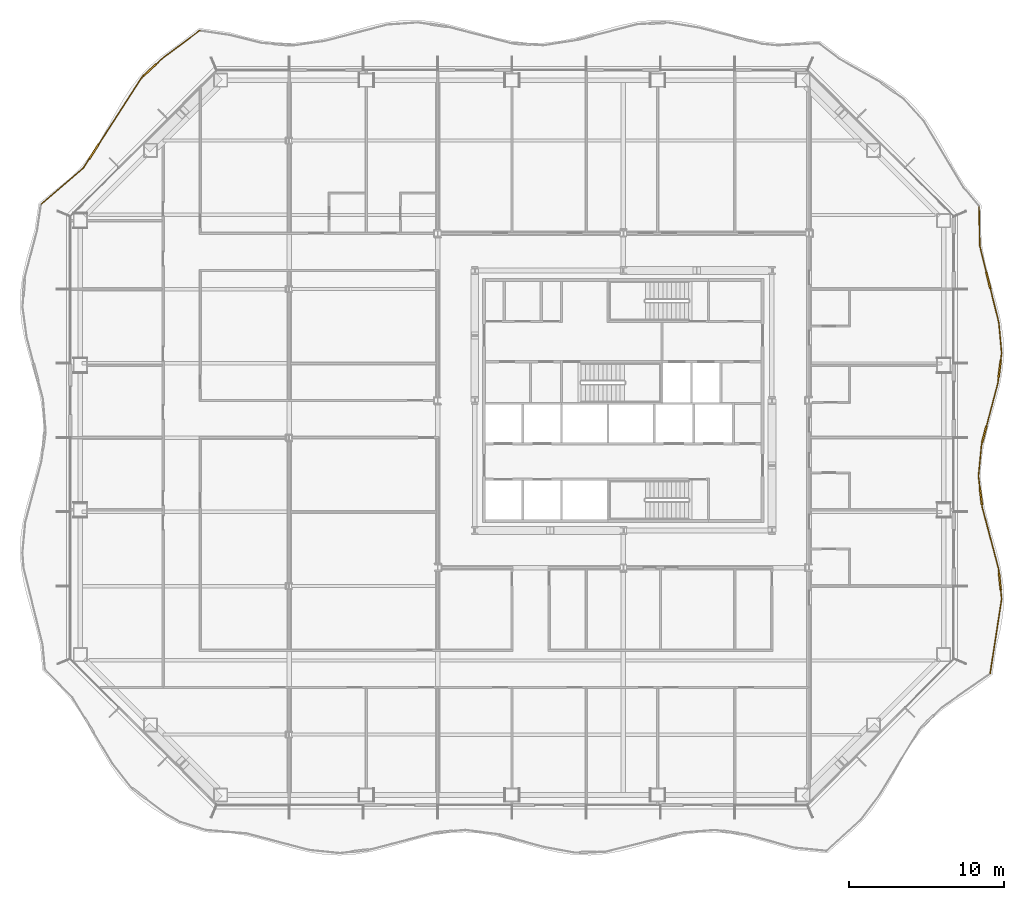
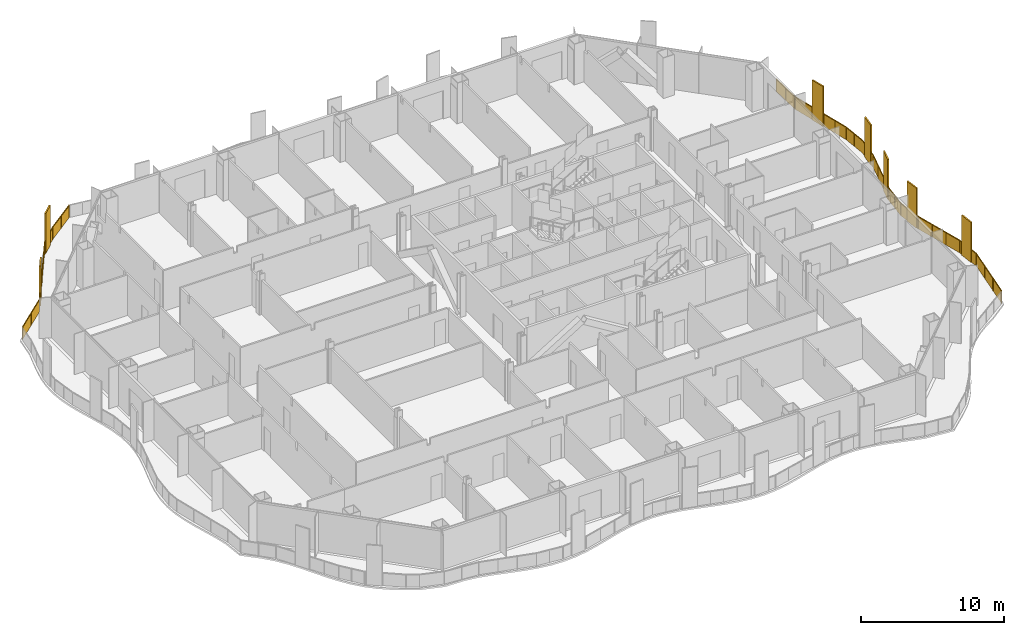
# One storey, part 16 of 18: 2 railings.
"""IFC4 building model written with IfcOpenShell, lengths in metres."""

from ifc_helpers import new_model, si_unit, direction, frame, origin, origin_2d, place, context, subcontext, project, spatial, polyline, rectangle, outline, extrude, material, type_object, element, save


model = new_model("IFC4")

# Units and contexts
model_context = context("Model", 3, precision=1e-05, world=origin(), true_north=direction((0.0, 1.0)))
body_context = subcontext(model_context, "Body", "Model", "MODEL_VIEW")
ifc_project = project(units=[si_unit("LENGTHUNIT", "METRE"), si_unit("AREAUNIT", "SQUARE_METRE"), si_unit("VOLUMEUNIT", "CUBIC_METRE"), si_unit("PLANEANGLEUNIT", "RADIAN"), si_unit("MASSUNIT", "GRAM", prefix="KILO")], contexts=[model_context])

# Site, building, storey
site_placement = place(None, origin())
site = spatial("IfcSite", under=ifc_project, at=site_placement, CompositionType="ELEMENT")
building_placement = place(site_placement, origin())
building = spatial("IfcBuilding", under=site, at=building_placement, Name="Cairn Pilgrim Tower", CompositionType="ELEMENT")
storey_placement = place(building_placement, frame((0.0, 0.0, 65.39990234375)))
storey = spatial("IfcBuildingStorey", under=building, at=storey_placement, Name="L14", CompositionType="ELEMENT", Elevation=65.39990234375)

# Railings
ifc_material = material(Name="Bronze anodised aluminium rail, posts and fin screens with laminated glass infill", Category="aluminium")
railing_type = type_object("IfcRailingType", Name="BALCONY GUARD WITH FIN SCREENS", PredefinedType="GUARDRAIL", material=ifc_material)
railing_1_placement = place(storey_placement, frame((30.904541015625, -15.242919921875, 0.0)))
element("IfcRailing", 1, at=railing_1_placement, inside=storey, type_object=railing_type, Name="Balcony guard BGF-2 with fin screens", PredefinedType="GUARDRAIL", context=body_context, shape_type="SweptSolid", body=[
    extrude(rectangle(XDim=0.050048828125, YDim=0.050048828125, at=origin_2d()), frame((0.0, 0.0, 1.0751953125), z_axis=(0.152606458821, 0.988287037619, 0.0), x_axis=(-0.988287037619, 0.152606458821, 0.0)), (0.0, 0.0, 1.0), 4.876220703125),
    extrude(rectangle(XDim=1.10009765625, YDim=0.110107421875, at=origin_2d()), frame((0.62646484375, 5.952392578125, 0.0), z_axis=(0.0, 0.0, 1.0), x_axis=(-0.103204222222, 0.994660187459, 0.0)), (0.0, 0.0, 1.0), 3.39990234375),
    extrude(rectangle(XDim=0.050048828125, YDim=0.050048828125, at=origin_2d()), frame((0.744140625, 4.819091796875, 1.0751953125), z_axis=(-0.103204222222, 0.994660187459, 0.0), x_axis=(-0.994660187459, -0.103204222222, 0.0)), (0.0, 0.0, 1.0), 0.58935546875),
    extrude(rectangle(XDim=0.050048828125, YDim=0.050048828125, at=origin_2d()), frame((0.56982421875, 6.499267578125, 1.0751953125), z_axis=(-0.103204222222, 0.994660187459, 0.0), x_axis=(-0.994660187459, -0.103204222222, 0.0)), (0.0, 0.0, 1.0), 0.276611328125),
    extrude(rectangle(XDim=0.050048828125, YDim=0.050048828125, at=origin_2d()), frame((0.541259765625, 6.7744140625, 1.0751953125), z_axis=(-0.256575177009, 0.966524277265, 0.0), x_axis=(-0.966524277265, -0.256575177009, 0.0)), (0.0, 0.0, 1.0), 4.108642578125),
    extrude(rectangle(XDim=1.10009765625, YDim=0.110107421875, at=origin_2d()), frame((-0.596435546875, 11.440673828125, 0.0), z_axis=(0.0, 0.0, 1.0), x_axis=(-0.11933515365, 0.992854028094, 0.0)), (0.0, 0.0, 1.0), 3.39990234375),
    extrude(rectangle(XDim=0.050048828125, YDim=0.050048828125, at=origin_2d()), frame((-0.512939453125, 10.74560546875, 1.0751953125), z_axis=(-0.11933515365, 0.992854028094, 0.0), x_axis=(-0.992854028094, -0.11933515365, 0.0)), (0.0, 0.0, 1.0), 0.150146484375),
    extrude(rectangle(XDim=0.050048828125, YDim=0.050048828125, at=origin_2d()), frame((-0.662109375, 11.98681640625, 1.0751953125), z_axis=(-0.11933515365, 0.992854028094, 0.0), x_axis=(-0.992854028094, -0.11933515365, 0.0)), (0.0, 0.0, 1.0), 0.77734375),
    extrude(rectangle(XDim=0.050048828125, YDim=0.050048828125, at=origin_2d()), frame((-0.7548828125, 12.758544921875, 1.0751953125), z_axis=(0.097569081749, 0.995228754753, 0.0), x_axis=(-0.995228754753, 0.097569081749, 0.0)), (0.0, 0.0, 1.0), 2.0244140625),
    extrude(rectangle(XDim=1.10009765625, YDim=0.110107421875, at=origin_2d()), frame((-0.3779296875, 15.44970703125, 0.0), z_axis=(0.0, 0.0, 1.0), x_axis=(0.256328281873, 0.966589784713, 0.0)), (0.0, 0.0, 1.0), 3.39990234375),
    extrude(rectangle(XDim=0.050048828125, YDim=0.050048828125, at=origin_2d()), frame((-0.557373046875, 14.773193359375, 1.0751953125), z_axis=(0.256328281873, 0.966589784713, 0.0), x_axis=(-0.966589784713, 0.256328281873, 0.0)), (0.0, 0.0, 1.0), 0.14990234375),
    extrude(rectangle(XDim=0.050048828125, YDim=0.050048828125, at=origin_2d()), frame((-0.237060546875, 15.981201171875, 1.0751953125), z_axis=(0.256328281873, 0.966589784713, 0.0), x_axis=(-0.966589784713, 0.256328281873, 0.0)), (0.0, 0.0, 1.0), 2.86181640625),
    extrude(rectangle(XDim=1.10009765625, YDim=0.110107421875, at=origin_2d()), frame((0.612548828125, 19.669677734375, 0.0), z_axis=(0.0, 0.0, 1.0), x_axis=(0.124825669723, 0.992178689641, 0.0)), (0.0, 0.0, 1.0), 3.39990234375),
    extrude(rectangle(XDim=0.050048828125, YDim=0.050048828125, at=origin_2d()), frame((0.49658203125, 18.74755859375, 1.0751953125), z_axis=(0.124825669723, 0.992178689641, 0.0), x_axis=(-0.992178689641, 0.124825669723, 0.0)), (0.0, 0.0, 1.0), 0.37939453125),
    extrude(rectangle(XDim=0.050048828125, YDim=0.050048828125, at=origin_2d()), frame((0.68115234375, 20.21533203125, 1.0751953125), z_axis=(0.124825669723, 0.992178689641, 0.0), x_axis=(-0.992178689641, 0.124825669723, 0.0)), (0.0, 0.0, 1.0), 0.49609375),
    extrude(rectangle(XDim=0.050048828125, YDim=0.050048828125, at=origin_2d()), frame((0.7431640625, 20.70751953125, 1.0751953125), z_axis=(-0.091733245189, 0.99578361692, 0.0), x_axis=(-0.99578361692, -0.091733245189, 0.0)), (0.0, 0.0, 1.0), 1.966796875),
    extrude(rectangle(XDim=1.10009765625, YDim=0.110107421875, at=origin_2d()), frame((-0.115478515625, 25.398681640625, 0.0), z_axis=(0.0, 0.0, 1.0), x_axis=(-0.24090899851, 0.970547708481, 0.0)), (0.0, 0.0, 1.0), 3.39990234375),
    extrude(rectangle(XDim=0.050048828125, YDim=0.050048828125, at=origin_2d()), frame((0.562744140625, 22.666015625, 1.0751953125), z_axis=(-0.24090899851, 0.970547708481, 0.0), x_axis=(-0.970547708481, -0.24090899851, 0.0)), (0.0, 0.0, 1.0), 2.265380859375),
    extrude(rectangle(XDim=0.050048828125, YDim=0.050048828125, at=origin_2d()), frame((-0.248046875, 25.932373046875, 1.0751953125), z_axis=(-0.24090899851, 0.970547708481, 0.0), x_axis=(-0.970547708481, -0.24090899851, 0.0)), (0.0, 0.0, 1.0), 1.75634765625),
    extrude(rectangle(XDim=0.050048828125, YDim=0.050048828125, at=origin_2d()), frame((-0.671142578125, 27.636962890625, 1.0751953125), z_axis=(-0.018459879552, 0.999829601906, 0.0), x_axis=(-0.999829601906, -0.018459879552, 0.0)), (0.0, 0.0, 1.0), 2.526123046875),
    extrude(rectangle(XDim=0.050048828125, YDim=0.050048828125, at=origin_2d()), origin(), (0.0, 0.0, 1.0), 1.050048828125),
    extrude(rectangle(XDim=0.050048828125, YDim=0.050048828125, at=origin_2d()), frame((0.248046875, 1.6064453125, 0.0)), (0.0, 0.0, 1.0), 1.050048828125),
    extrude(rectangle(XDim=0.050048828125, YDim=0.050048828125, at=origin_2d()), frame((0.49609375, 3.212646484375, 0.0)), (0.0, 0.0, 1.0), 1.050048828125),
    extrude(rectangle(XDim=0.050048828125, YDim=0.050048828125, at=origin_2d()), frame((0.744140625, 4.819091796875, 0.0)), (0.0, 0.0, 1.0), 1.050048828125),
    extrude(rectangle(XDim=0.050048828125, YDim=0.050048828125, at=origin_2d()), frame((0.685791015625, 5.38037109375, 0.0)), (0.0, 0.0, 1.0), 1.050048828125),
    extrude(rectangle(XDim=0.050048828125, YDim=0.050048828125, at=origin_2d()), frame((0.567138671875, 6.524169921875, 0.0)), (0.0, 0.0, 1.0), 1.050048828125),
    extrude(rectangle(XDim=0.050048828125, YDim=0.050048828125, at=origin_2d()), frame((0.541259765625, 6.7744140625, 0.0)), (0.0, 0.0, 1.0), 1.050048828125),
    extrude(rectangle(XDim=0.050048828125, YDim=0.050048828125, at=origin_2d()), frame((0.18994140625, 8.09814453125, 0.0)), (0.0, 0.0, 1.0), 1.050048828125),
    extrude(rectangle(XDim=0.050048828125, YDim=0.050048828125, at=origin_2d()), frame((-0.16162109375, 9.421875, 0.0)), (0.0, 0.0, 1.0), 1.050048828125),
    extrude(rectangle(XDim=0.050048828125, YDim=0.050048828125, at=origin_2d()), frame((-0.512939453125, 10.74560546875, 0.0)), (0.0, 0.0, 1.0), 1.050048828125),
    extrude(rectangle(XDim=0.050048828125, YDim=0.050048828125, at=origin_2d()), frame((-0.52783203125, 10.86962890625, 0.0)), (0.0, 0.0, 1.0), 1.050048828125),
    extrude(rectangle(XDim=0.050048828125, YDim=0.050048828125, at=origin_2d()), frame((-0.6650390625, 12.011474609375, 0.0)), (0.0, 0.0, 1.0), 1.050048828125),
    extrude(rectangle(XDim=0.050048828125, YDim=0.050048828125, at=origin_2d()), frame((-0.7548828125, 12.758544921875, 0.0)), (0.0, 0.0, 1.0), 1.050048828125),
    extrude(rectangle(XDim=0.050048828125, YDim=0.050048828125, at=origin_2d()), frame((-0.65625, 13.765869140625, 0.0)), (0.0, 0.0, 1.0), 1.050048828125),
    extrude(rectangle(XDim=0.050048828125, YDim=0.050048828125, at=origin_2d()), frame((-0.557373046875, 14.773193359375, 0.0)), (0.0, 0.0, 1.0), 1.050048828125),
    extrude(rectangle(XDim=0.050048828125, YDim=0.050048828125, at=origin_2d()), frame((-0.525390625, 14.893798828125, 0.0)), (0.0, 0.0, 1.0), 1.050048828125),
    extrude(rectangle(XDim=0.050048828125, YDim=0.050048828125, at=origin_2d()), frame((-0.230712890625, 16.00537109375, 0.0)), (0.0, 0.0, 1.0), 1.050048828125),
    extrude(rectangle(XDim=0.050048828125, YDim=0.050048828125, at=origin_2d()), frame((0.133056640625, 17.37646484375, 0.0)), (0.0, 0.0, 1.0), 1.050048828125),
    extrude(rectangle(XDim=0.050048828125, YDim=0.050048828125, at=origin_2d()), frame((0.49658203125, 18.74755859375, 0.0)), (0.0, 0.0, 1.0), 1.050048828125),
    extrude(rectangle(XDim=0.050048828125, YDim=0.050048828125, at=origin_2d()), frame((0.540771484375, 19.09912109375, 0.0)), (0.0, 0.0, 1.0), 1.050048828125),
    extrude(rectangle(XDim=0.050048828125, YDim=0.050048828125, at=origin_2d()), frame((0.684326171875, 20.240234375, 0.0)), (0.0, 0.0, 1.0), 1.050048828125),
    extrude(rectangle(XDim=0.050048828125, YDim=0.050048828125, at=origin_2d()), frame((0.7431640625, 20.70751953125, 0.0)), (0.0, 0.0, 1.0), 1.050048828125),
    extrude(rectangle(XDim=0.050048828125, YDim=0.050048828125, at=origin_2d()), frame((0.65283203125, 21.686767578125, 0.0)), (0.0, 0.0, 1.0), 1.050048828125),
    extrude(rectangle(XDim=0.050048828125, YDim=0.050048828125, at=origin_2d()), frame((0.562744140625, 22.666015625, 0.0)), (0.0, 0.0, 1.0), 1.050048828125),
    extrude(rectangle(XDim=0.050048828125, YDim=0.050048828125, at=origin_2d()), frame((0.29296875, 23.753173828125, 0.0)), (0.0, 0.0, 1.0), 1.050048828125),
    extrude(rectangle(XDim=0.050048828125, YDim=0.050048828125, at=origin_2d()), frame((0.02294921875, 24.840576171875, 0.0)), (0.0, 0.0, 1.0), 1.050048828125),
    extrude(rectangle(XDim=0.050048828125, YDim=0.050048828125, at=origin_2d()), frame((-0.254150390625, 25.95654296875, 0.0)), (0.0, 0.0, 1.0), 1.050048828125),
    extrude(rectangle(XDim=0.050048828125, YDim=0.050048828125, at=origin_2d()), frame((-0.671142578125, 27.636962890625, 0.0)), (0.0, 0.0, 1.0), 1.050048828125),
    extrude(rectangle(XDim=0.050048828125, YDim=0.050048828125, at=origin_2d()), frame((-0.6943359375, 28.89990234375, 0.0)), (0.0, 0.0, 1.0), 1.050048828125),
    extrude(rectangle(XDim=0.050048828125, YDim=0.050048828125, at=origin_2d()), frame((-0.7177734375, 30.16259765625, 0.0)), (0.0, 0.0, 1.0), 1.050048828125),
    extrude(outline(polyline([(0.02490234375, 0.0), (1.600341796875, 0.0), (1.600341796875, 1.050048828125), (0.02490234375, 1.050048828125), (0.02490234375, 0.0)])), frame((-0.005859375, 0.0009765625, 0.0), z_axis=(0.988287037619, -0.152606458821, 0.0), x_axis=(0.152606458821, 0.988287037619, 0.0)), (0.0, 0.0, 1.0), 0.011962890625),
    extrude(outline(polyline([(0.02490234375, 0.0), (1.600341796875, 0.0), (1.600341796875, 1.050048828125), (0.02490234375, 1.050048828125), (0.02490234375, 0.0)])), frame((0.2421875, 1.607177734375, 0.0), z_axis=(0.988287037619, -0.152606458821, 0.0), x_axis=(0.152606458821, 0.988287037619, 0.0)), (0.0, 0.0, 1.0), 0.011962890625),
    extrude(outline(polyline([(0.02490234375, 0.0), (1.600341796875, 0.0), (1.600341796875, 1.050048828125), (0.02490234375, 1.050048828125), (0.02490234375, 0.0)])), frame((0.490234375, 3.213623046875, 0.0), z_axis=(0.988287037619, -0.152606458821, 0.0), x_axis=(0.152606458821, 0.988287037619, 0.0)), (0.0, 0.0, 1.0), 0.011962890625),
    extrude(outline(polyline([(0.02490234375, 0.0), (0.539306640625, 0.0), (0.539306640625, 1.050048828125), (0.02490234375, 1.050048828125), (0.02490234375, 0.0)])), frame((0.73828125, 4.818359375, 0.0), z_axis=(0.994660187459, 0.103204222222, 0.0), x_axis=(-0.103204222222, 0.994660187459, 0.0)), (0.0, 0.0, 1.0), 0.011962890625),
    extrude(outline(polyline([(0.02490234375, 0.0), (0.2265625, 0.0), (0.2265625, 1.050048828125), (0.02490234375, 1.050048828125), (0.02490234375, 0.0)])), frame((0.561279296875, 6.523681640625, 0.0), z_axis=(0.994660187459, 0.103204222222, 0.0), x_axis=(-0.103204222222, 0.994660187459, 0.0)), (0.0, 0.0, 1.0), 0.011962890625),
    extrude(outline(polyline([(0.02490234375, 0.0), (1.344482421875, 0.0), (1.344482421875, 1.050048828125), (0.02490234375, 1.050048828125), (0.02490234375, 0.0)])), frame((0.535400390625, 6.77294921875, 0.0), z_axis=(0.966524277265, 0.256575177009, 0.0), x_axis=(-0.256575177009, 0.966524277265, 0.0)), (0.0, 0.0, 1.0), 0.011962890625),
    extrude(outline(polyline([(0.02490234375, 0.0), (1.344482421875, 0.0), (1.344482421875, 1.050048828125), (0.02490234375, 1.050048828125), (0.02490234375, 0.0)])), frame((0.18408203125, 8.0966796875, 0.0), z_axis=(0.966524277265, 0.256575177009, 0.0), x_axis=(-0.256575177009, 0.966524277265, 0.0)), (0.0, 0.0, 1.0), 0.011962890625),
    extrude(outline(polyline([(0.02490234375, 0.0), (1.344482421875, 0.0), (1.344482421875, 1.050048828125), (0.02490234375, 1.050048828125), (0.02490234375, 0.0)])), frame((-0.167236328125, 9.42041015625, 0.0), z_axis=(0.966524277265, 0.256575177009, 0.0), x_axis=(-0.256575177009, 0.966524277265, 0.0)), (0.0, 0.0, 1.0), 0.011962890625),
    extrude(outline(polyline([(0.02490234375, 0.0), (0.10009765625, 0.0), (0.10009765625, 1.050048828125), (0.02490234375, 1.050048828125), (0.02490234375, 0.0)])), frame((-0.518798828125, 10.744873046875, 0.0), z_axis=(0.992854028094, 0.11933515365, 0.0), x_axis=(-0.11933515365, 0.992854028094, 0.0)), (0.0, 0.0, 1.0), 0.011962890625),
    extrude(outline(polyline([(0.02490234375, 0.0), (0.727294921875, 0.0), (0.727294921875, 1.050048828125), (0.02490234375, 1.050048828125), (0.02490234375, 0.0)])), frame((-0.671142578125, 12.0107421875, 0.0), z_axis=(0.992854028094, 0.11933515365, 0.0), x_axis=(-0.11933515365, 0.992854028094, 0.0)), (0.0, 0.0, 1.0), 0.011962890625),
    extrude(outline(polyline([(0.02490234375, 0.0), (0.987060546875, 0.0), (0.987060546875, 1.050048828125), (0.02490234375, 1.050048828125), (0.02490234375, 0.0)])), frame((-0.7607421875, 12.759033203125, 0.0), z_axis=(0.995228754753, -0.097569081749, 0.0), x_axis=(0.097569081749, 0.995228754753, 0.0)), (0.0, 0.0, 1.0), 0.011962890625),
    extrude(outline(polyline([(0.02490234375, 0.0), (0.987060546875, 0.0), (0.987060546875, 1.050048828125), (0.02490234375, 1.050048828125), (0.02490234375, 0.0)])), frame((-0.662109375, 13.766357421875, 0.0), z_axis=(0.995228754753, -0.097569081749, 0.0), x_axis=(0.097569081749, 0.995228754753, 0.0)), (0.0, 0.0, 1.0), 0.011962890625),
    extrude(outline(polyline([(0.02490234375, 0.0), (0.099853515625, 0.0), (0.099853515625, 1.050048828125), (0.02490234375, 1.050048828125), (0.02490234375, 0.0)])), frame((-0.563232421875, 14.774658203125, 0.0), z_axis=(0.966589784713, -0.256328281873, 0.0), x_axis=(0.256328281873, 0.966589784713, 0.0)), (0.0, 0.0, 1.0), 0.011962890625),
    extrude(outline(polyline([(0.02490234375, 0.0), (1.393310546875, 0.0), (1.393310546875, 1.050048828125), (0.02490234375, 1.050048828125), (0.02490234375, 0.0)])), frame((-0.236328125, 16.007080078125, 0.0), z_axis=(0.966589784713, -0.256328281873, 0.0), x_axis=(0.256328281873, 0.966589784713, 0.0)), (0.0, 0.0, 1.0), 0.011962890625),
    extrude(outline(polyline([(0.02490234375, 0.0), (1.393310546875, 0.0), (1.393310546875, 1.050048828125), (0.02490234375, 1.050048828125), (0.02490234375, 0.0)])), frame((0.127197265625, 17.3779296875, 0.0), z_axis=(0.966589784713, -0.256328281873, 0.0), x_axis=(0.256328281873, 0.966589784713, 0.0)), (0.0, 0.0, 1.0), 0.011962890625),
    extrude(outline(polyline([(0.02490234375, 0.0), (0.329345703125, 0.0), (0.329345703125, 1.050048828125), (0.02490234375, 1.050048828125), (0.02490234375, 0.0)])), frame((0.49072265625, 18.748291015625, 0.0), z_axis=(0.992178689641, -0.124825669723, 0.0), x_axis=(0.124825669723, 0.992178689641, 0.0)), (0.0, 0.0, 1.0), 0.011962890625),
    extrude(outline(polyline([(0.02490234375, 0.0), (0.446044921875, 0.0), (0.446044921875, 1.050048828125), (0.02490234375, 1.050048828125), (0.02490234375, 0.0)])), frame((0.678466796875, 20.240966796875, 0.0), z_axis=(0.992178689641, -0.124825669723, 0.0), x_axis=(0.124825669723, 0.992178689641, 0.0)), (0.0, 0.0, 1.0), 0.011962890625),
    extrude(outline(polyline([(0.02490234375, 0.0), (0.958251953125, 0.0), (0.958251953125, 1.050048828125), (0.02490234375, 1.050048828125), (0.02490234375, 0.0)])), frame((0.7373046875, 20.70703125, 0.0), z_axis=(0.99578361692, 0.091733245189, 0.0), x_axis=(-0.091733245189, 0.99578361692, 0.0)), (0.0, 0.0, 1.0), 0.011962890625),
    extrude(outline(polyline([(0.02490234375, 0.0), (0.958251953125, 0.0), (0.958251953125, 1.050048828125), (0.02490234375, 1.050048828125), (0.02490234375, 0.0)])), frame((0.64697265625, 21.686279296875, 0.0), z_axis=(0.99578361692, 0.091733245189, 0.0), x_axis=(-0.091733245189, 0.99578361692, 0.0)), (0.0, 0.0, 1.0), 0.011962890625),
    extrude(outline(polyline([(0.02490234375, 0.0), (1.09521484375, 0.0), (1.09521484375, 1.050048828125), (0.02490234375, 1.050048828125), (0.02490234375, 0.0)])), frame((0.556884765625, 22.66455078125, 0.0), z_axis=(0.970547708481, 0.24090899851, 0.0), x_axis=(-0.24090899851, 0.970547708481, 0.0)), (0.0, 0.0, 1.0), 0.011962890625),
    extrude(outline(polyline([(0.02490234375, 0.0), (1.09521484375, 0.0), (1.09521484375, 1.050048828125), (0.02490234375, 1.050048828125), (0.02490234375, 0.0)])), frame((0.287109375, 23.751708984375, 0.0), z_axis=(0.970547708481, 0.24090899851, 0.0), x_axis=(-0.24090899851, 0.970547708481, 0.0)), (0.0, 0.0, 1.0), 0.011962890625),
    extrude(outline(polyline([(0.02490234375, 0.0), (1.706298828125, 0.0), (1.706298828125, 1.050048828125), (0.02490234375, 1.050048828125), (0.02490234375, 0.0)])), frame((-0.259765625, 25.955322265625, 0.0), z_axis=(0.970547708481, 0.24090899851, 0.0), x_axis=(-0.24090899851, 0.970547708481, 0.0)), (0.0, 0.0, 1.0), 0.011962890625),
    extrude(outline(polyline([(0.02490234375, 0.0), (1.238037109375, 0.0), (1.238037109375, 1.050048828125), (0.02490234375, 1.050048828125), (0.02490234375, 0.0)])), frame((-0.677001953125, 27.636962890625, 0.0), z_axis=(0.999829601906, 0.018459879552, 0.0), x_axis=(-0.018459879552, 0.999829601906, 0.0)), (0.0, 0.0, 1.0), 0.011962890625),
    extrude(outline(polyline([(0.02490234375, 0.0), (1.238037109375, 0.0), (1.238037109375, 1.050048828125), (0.02490234375, 1.050048828125), (0.02490234375, 0.0)])), frame((-0.700439453125, 28.899658203125, 0.0), z_axis=(0.999829601906, 0.018459879552, 0.0), x_axis=(-0.018459879552, 0.999829601906, 0.0)), (0.0, 0.0, 1.0), 0.011962890625),
])
railing_2_placement = place(storey_placement, frame((-20.1826171875, 26.311279296875, 0.0)))
element("IfcRailing", 2, at=railing_2_placement, inside=storey, type_object=railing_type, Name="Balcony guard BGF-5 with fin screens", PredefinedType="GUARDRAIL", context=body_context, shape_type="SweptSolid", body=[
    extrude(rectangle(XDim=0.050048828125, YDim=0.050048828125, at=origin_2d()), frame((0.0, 0.0, 1.0751953125), z_axis=(-0.802278791426, -0.596949529549, 0.0), x_axis=(0.596949529549, -0.802278791426, 0.0)), (0.0, 0.0, 1.0), 2.923828125),
    extrude(rectangle(XDim=1.10009765625, YDim=0.110107421875, at=origin_2d()), frame((-3.236083984375, -2.570556640625, 0.0), z_axis=(0.0, 0.0, 1.0), x_axis=(-0.733447358288, -0.679746256055, 0.0)), (0.0, 0.0, 1.0), 3.39990234375),
    extrude(rectangle(XDim=0.050048828125, YDim=0.050048828125, at=origin_2d()), frame((-2.345703125, -1.745361328125, 1.0751953125), z_axis=(-0.733447358288, -0.679746256055, 0.0), x_axis=(0.679746256055, -0.733447358288, 0.0)), (0.0, 0.0, 1.0), 0.663818359375),
    extrude(rectangle(XDim=0.050048828125, YDim=0.050048828125, at=origin_2d()), frame((-3.639404296875, -2.9443359375, 1.0751953125), z_axis=(-0.733447358288, -0.679746256055, 0.0), x_axis=(0.679746256055, -0.733447358288, 0.0)), (0.0, 0.0, 1.0), 0.150146484375),
    extrude(rectangle(XDim=1.10009765625, YDim=0.110107421875, at=origin_2d()), frame((-6.833984375, -7.817626953125, 0.0), z_axis=(0.0, 0.0, 1.0), x_axis=(-0.542891241118, -0.839803012806, 0.0)), (0.0, 0.0, 1.0), 3.39990234375),
    extrude(rectangle(XDim=0.050048828125, YDim=0.050048828125, at=origin_2d()), frame((-3.74951171875, -3.04638671875, 1.0751953125), z_axis=(-0.542891241118, -0.839803012806, 0.0), x_axis=(0.839803012806, -0.542891241118, 0.0)), (0.0, 0.0, 1.0), 5.131591796875),
    extrude(rectangle(XDim=0.050048828125, YDim=0.050048828125, at=origin_2d()), frame((-7.132568359375, -8.279541015625, 1.0751953125), z_axis=(-0.542891241118, -0.839803012806, 0.0), x_axis=(0.839803012806, -0.542891241118, 0.0)), (0.0, 0.0, 1.0), 0.714111328125),
    extrude(rectangle(XDim=0.050048828125, YDim=0.050048828125, at=origin_2d()), frame((-7.520263671875, -8.87939453125, 1.0751953125), z_axis=(-0.757892847844, -0.652379054834, 0.0), x_axis=(0.652379054834, -0.757892847844, 0.0)), (0.0, 0.0, 1.0), 3.56787109375),
    extrude(rectangle(XDim=0.050048828125, YDim=0.050048828125, at=origin_2d()), origin(), (0.0, 0.0, 1.0), 1.050048828125),
    extrude(rectangle(XDim=0.050048828125, YDim=0.050048828125, at=origin_2d()), frame((-1.1728515625, -0.87255859375, 0.0)), (0.0, 0.0, 1.0), 1.050048828125),
    extrude(rectangle(XDim=0.050048828125, YDim=0.050048828125, at=origin_2d()), frame((-2.345703125, -1.745361328125, 0.0)), (0.0, 0.0, 1.0), 1.050048828125),
    extrude(rectangle(XDim=0.050048828125, YDim=0.050048828125, at=origin_2d()), frame((-2.814208984375, -2.1796875, 0.0)), (0.0, 0.0, 1.0), 1.050048828125),
    extrude(rectangle(XDim=0.050048828125, YDim=0.050048828125, at=origin_2d()), frame((-3.65771484375, -2.96142578125, 0.0)), (0.0, 0.0, 1.0), 1.050048828125),
    extrude(rectangle(XDim=0.050048828125, YDim=0.050048828125, at=origin_2d()), frame((-3.74951171875, -3.04638671875, 0.0)), (0.0, 0.0, 1.0), 1.050048828125),
    extrude(rectangle(XDim=0.050048828125, YDim=0.050048828125, at=origin_2d()), frame((-4.673583984375, -4.475830078125, 0.0)), (0.0, 0.0, 1.0), 1.050048828125),
    extrude(rectangle(XDim=0.050048828125, YDim=0.050048828125, at=origin_2d()), frame((-5.59765625, -5.9052734375, 0.0)), (0.0, 0.0, 1.0), 1.050048828125),
    extrude(rectangle(XDim=0.050048828125, YDim=0.050048828125, at=origin_2d()), frame((-6.521728515625, -7.334716796875, 0.0)), (0.0, 0.0, 1.0), 1.050048828125),
    extrude(rectangle(XDim=0.050048828125, YDim=0.050048828125, at=origin_2d()), frame((-7.146240234375, -8.300537109375, 0.0)), (0.0, 0.0, 1.0), 1.050048828125),
    extrude(rectangle(XDim=0.050048828125, YDim=0.050048828125, at=origin_2d()), frame((-7.520263671875, -8.87939453125, 0.0)), (0.0, 0.0, 1.0), 1.050048828125),
    extrude(rectangle(XDim=0.050048828125, YDim=0.050048828125, at=origin_2d()), frame((-8.872314453125, -10.043212890625, 0.0)), (0.0, 0.0, 1.0), 1.050048828125),
    extrude(rectangle(XDim=0.050048828125, YDim=0.050048828125, at=origin_2d()), frame((-10.224365234375, -11.20703125, 0.0)), (0.0, 0.0, 1.0), 1.050048828125),
    extrude(outline(polyline([(0.02490234375, 0.0), (1.436767578125, 0.0), (1.436767578125, 1.050048828125), (0.02490234375, 1.050048828125), (0.02490234375, 0.0)])), frame((0.003662109375, -0.0048828125, 0.0), z_axis=(-0.596949529549, 0.802278791426, 0.0), x_axis=(-0.802278791426, -0.596949529549, 0.0)), (0.0, 0.0, 1.0), 0.011962890625),
    extrude(outline(polyline([(0.02490234375, 0.0), (1.436767578125, 0.0), (1.436767578125, 1.050048828125), (0.02490234375, 1.050048828125), (0.02490234375, 0.0)])), frame((-1.169189453125, -0.87744140625, 0.0), z_axis=(-0.596949529549, 0.802278791426, 0.0), x_axis=(-0.802278791426, -0.596949529549, 0.0)), (0.0, 0.0, 1.0), 0.011962890625),
    extrude(outline(polyline([(0.02490234375, 0.0), (0.61376953125, 0.0), (0.61376953125, 1.050048828125), (0.02490234375, 1.050048828125), (0.02490234375, 0.0)])), frame((-2.341552734375, -1.749755859375, 0.0), z_axis=(-0.679746256055, 0.733447358288, 0.0), x_axis=(-0.733447358288, -0.679746256055, 0.0)), (0.0, 0.0, 1.0), 0.011962890625),
    extrude(outline(polyline([(0.02490234375, 0.0), (0.10009765625, 0.0), (0.10009765625, 1.050048828125), (0.02490234375, 1.050048828125), (0.02490234375, 0.0)])), frame((-3.65380859375, -2.9658203125, 0.0), z_axis=(-0.679746256055, 0.733447358288, 0.0), x_axis=(-0.733447358288, -0.679746256055, 0.0)), (0.0, 0.0, 1.0), 0.011962890625),
    extrude(outline(polyline([(0.02490234375, 0.0), (1.67724609375, 0.0), (1.67724609375, 1.050048828125), (0.02490234375, 1.050048828125), (0.02490234375, 0.0)])), frame((-3.744384765625, -3.049560546875, 0.0), z_axis=(-0.839803012806, 0.542891241118, 0.0), x_axis=(-0.542891241118, -0.839803012806, 0.0)), (0.0, 0.0, 1.0), 0.011962890625),
    extrude(outline(polyline([(0.02490234375, 0.0), (1.67724609375, 0.0), (1.67724609375, 1.050048828125), (0.02490234375, 1.050048828125), (0.02490234375, 0.0)])), frame((-4.66845703125, -4.47900390625, 0.0), z_axis=(-0.839803012806, 0.542891241118, 0.0), x_axis=(-0.542891241118, -0.839803012806, 0.0)), (0.0, 0.0, 1.0), 0.011962890625),
    extrude(outline(polyline([(0.02490234375, 0.0), (1.67724609375, 0.0), (1.67724609375, 1.050048828125), (0.02490234375, 1.050048828125), (0.02490234375, 0.0)])), frame((-5.5927734375, -5.90869140625, 0.0), z_axis=(-0.839803012806, 0.542891241118, 0.0), x_axis=(-0.542891241118, -0.839803012806, 0.0)), (0.0, 0.0, 1.0), 0.011962890625),
    extrude(outline(polyline([(0.02490234375, 0.0), (0.6640625, 0.0), (0.6640625, 1.050048828125), (0.02490234375, 1.050048828125), (0.02490234375, 0.0)])), frame((-7.14111328125, -8.303955078125, 0.0), z_axis=(-0.839803012806, 0.542891241118, 0.0), x_axis=(-0.542891241118, -0.839803012806, 0.0)), (0.0, 0.0, 1.0), 0.011962890625),
    extrude(outline(polyline([(0.02490234375, 0.0), (1.759033203125, 0.0), (1.759033203125, 1.050048828125), (0.02490234375, 1.050048828125), (0.02490234375, 0.0)])), frame((-7.516357421875, -8.884033203125, 0.0), z_axis=(-0.652379054834, 0.757892847844, 0.0), x_axis=(-0.757892847844, -0.652379054834, 0.0)), (0.0, 0.0, 1.0), 0.011962890625),
    extrude(outline(polyline([(0.02490234375, 0.0), (1.759033203125, 0.0), (1.759033203125, 1.050048828125), (0.02490234375, 1.050048828125), (0.02490234375, 0.0)])), frame((-8.868408203125, -10.0478515625, 0.0), z_axis=(-0.652379054834, 0.757892847844, 0.0), x_axis=(-0.757892847844, -0.652379054834, 0.0)), (0.0, 0.0, 1.0), 0.011962890625),
])

save(model, "model.ifc")
